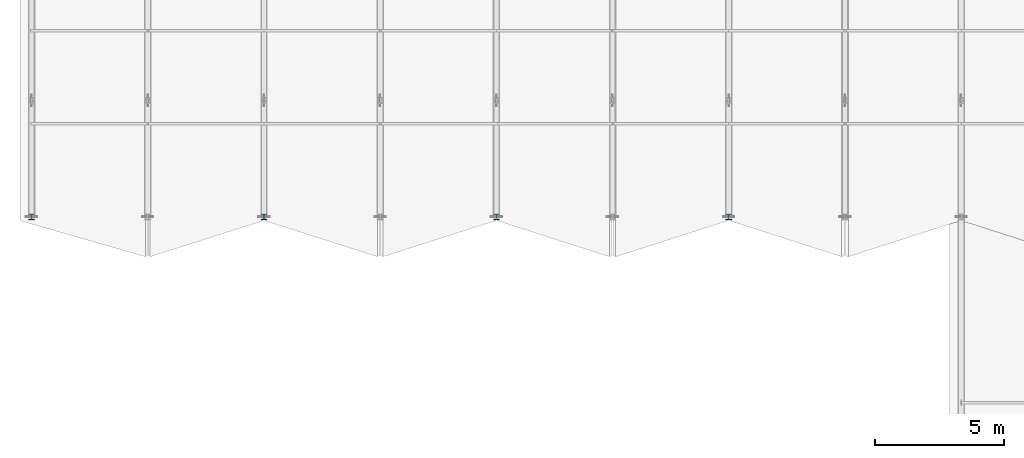
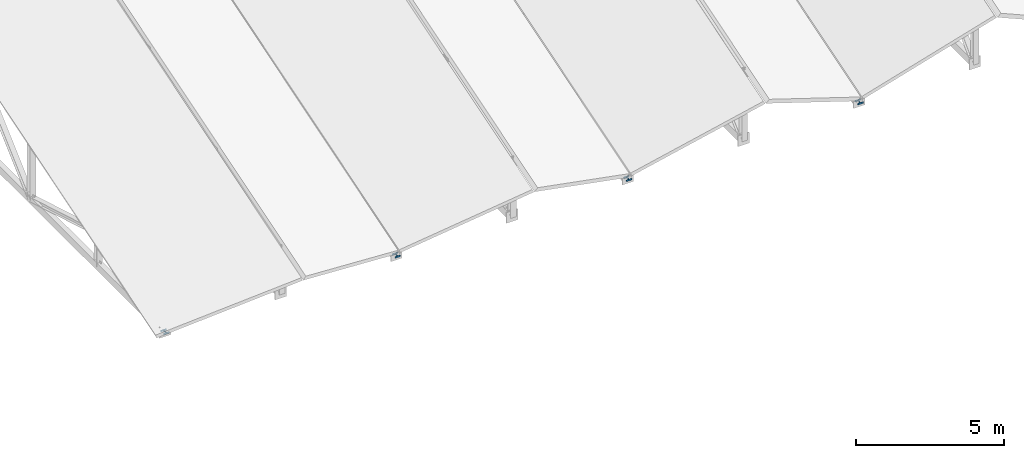
# One storey, part 100 of 142: 4 members.
"""IFC4 building model written with IfcOpenShell, lengths in metres."""

from ifc_helpers import new_model, si_unit, direction, frame, origin, origin_2d, place, context, subcontext, project, spatial, i_section, extrude, material, material_profile, profile_set, type_object, element, save


model = new_model("IFC4")

# Units and contexts
model_context = context("Model", 3, precision=1e-05, world=origin(), true_north=direction((0.0, 1.0)))
body_context = subcontext(model_context, "Body", "Model", "MODEL_VIEW")
ifc_project = project(units=[si_unit("LENGTHUNIT", "METRE"), si_unit("AREAUNIT", "SQUARE_METRE"), si_unit("VOLUMEUNIT", "CUBIC_METRE"), si_unit("PLANEANGLEUNIT", "RADIAN"), si_unit("MASSUNIT", "GRAM", prefix="KILO")], contexts=[model_context])

# Site, building, storey
site_placement = place(None, origin())
site = spatial("IfcSite", under=ifc_project, at=site_placement, CompositionType="ELEMENT")
building_placement = place(site_placement, origin())
building = spatial("IfcBuilding", under=site, at=building_placement, Name="Montelvaro Courts of Justice", CompositionType="ELEMENT")
storey_placement = place(building_placement, frame((0.0, 0.0, 14.39990234375)))
storey = spatial("IfcBuildingStorey", under=building, at=storey_placement, Name="L03", CompositionType="ELEMENT", Elevation=14.39990234375)

# Members
ifc_material = material(Name="Steel S355", Category="steel")
ifc_material_profile = material_profile(ifc_material, i_section(OverallWidth=0.219970703125, OverallDepth=0.2099609375, WebThickness=0.007080078125, FlangeThickness=0.010986328125, at=origin_2d()), Name="HEA 220")
ifc_profile_set = profile_set([ifc_material_profile], Name="Steel S355")
member_type = type_object("IfcMemberType", Name="Mem_HEA220_Post", PredefinedType="POST", material=ifc_profile_set)
for number, where, z_axis, x_axis, name in (
    (1, (18.0, 78.0, -0.2998046875), (0.0, 0.0, -1.0), (1.0, 0.0, 0.0), "Roof Truss Post MP-03 ROOF-V1-VTR01-V0"),
    (2, (27.0, 78.0, -0.2998046875), (0.0, 0.0, -1.0), (1.0, 0.0, 0.0), "Roof Truss Post MP-03 ROOF-V1-VTR02-V0"),
    (3, (36.0, 78.0, -0.2998046875), (0.0, 0.0, -1.0), (1.0, 0.0, 0.0), "Roof Truss Post MP-03 ROOF-V1-VTR03-V0"),
    (4, (45.0, 78.0, -0.2998046875), (0.0, 0.0, -1.0), (1.0, 0.0, 0.0), "Roof Truss Post MP-03 ROOF-V1-VTR04-V0"),
):
    element("IfcMember", number, at=place(storey_placement, frame(where, z_axis=z_axis, x_axis=x_axis)), inside=storey, type_object=member_type, Name=name, PredefinedType="POST", context=body_context, shape_type="SweptSolid", body=[
        extrude(i_section(OverallWidth=0.219970703125, OverallDepth=0.2099609375, WebThickness=0.007080078125, FlangeThickness=0.010986328125, at=origin_2d()), origin(), (0.0, 0.0, 1.0), 0.070068359375),
    ])

save(model, "model.ifc")
